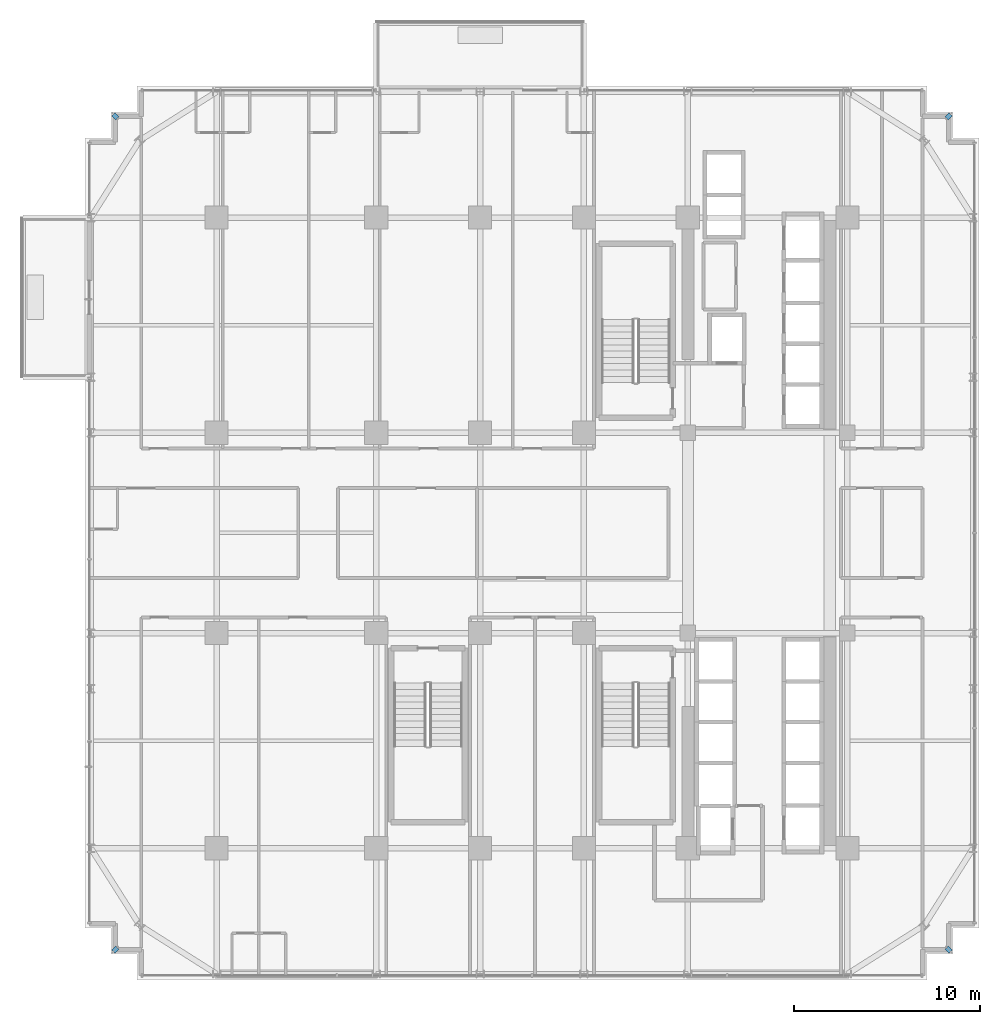
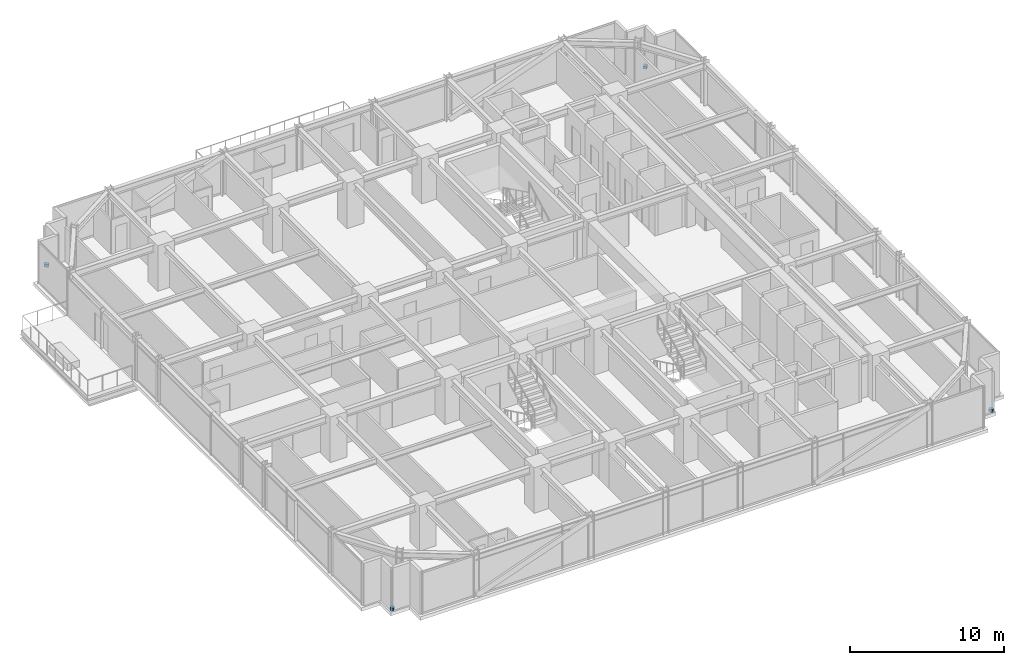
# One storey, part 36 of 40: 4 discrete accessories.
"""IFC4 building model written with IfcOpenShell, lengths in metres."""

from ifc_helpers import new_model, si_unit, direction, frame, origin, origin_2d, place, context, subcontext, project, spatial, rectangle, extrude, source, transform, mapped, material, type_object, element, save


model = new_model("IFC4")

# Units and contexts
model_context = context("Model", 3, precision=1e-05, world=origin(), true_north=direction((0.0, 1.0)))
body_context = subcontext(model_context, "Body", "Model", "MODEL_VIEW")
ifc_project = project(units=[si_unit("LENGTHUNIT", "METRE"), si_unit("AREAUNIT", "SQUARE_METRE"), si_unit("VOLUMEUNIT", "CUBIC_METRE"), si_unit("PLANEANGLEUNIT", "RADIAN"), si_unit("MASSUNIT", "GRAM", prefix="KILO")], contexts=[model_context])

# Site, building, storey
site_placement = place(None, origin())
site = spatial("IfcSite", under=ifc_project, at=site_placement, CompositionType="ELEMENT")
building_placement = place(site_placement, origin())
building = spatial("IfcBuilding", under=site, at=building_placement, Name="Nahalor Promenade Grand Hotel", CompositionType="ELEMENT")
storey_placement = place(building_placement, frame((0.0, 0.0, 91.949951171875)))
storey = spatial("IfcBuildingStorey", under=building, at=storey_placement, Name="L22", CompositionType="ELEMENT", Elevation=91.949951171875)

# Discrete accessories
ifc_material = material(Name="Steel S355JR", Category="steel")
discrete_accessory_type = type_object("IfcDiscreteAccessoryType", Name="Bracket-FacadeCleat-Bronze", PredefinedType="BRACKET", material=ifc_material)
shared_shape = source(origin(), body_context, "Body", "SweptSolid", [
    extrude(rectangle(XDim=0.300048828125, YDim=0.239990234375, at=origin_2d()), origin(), (0.0, 0.0, 1.0), 0.219970703125),
])
for number, where, z_axis, x_axis, name in (
    (1, (-22.4599609375, -22.4599609375, 0.0), (0.0, 0.0, 1.0), (0.707106781187, 0.707106781187, 0.0), "BK-L22-SW"),
    (2, (22.4599609375, -22.4599609375, 0.0), (0.0, 0.0, 1.0), (-0.707106781187, 0.707106781187, 0.0), "BK-L22-SE"),
    (3, (22.4599609375, 22.4599609375, 0.0), (0.0, 0.0, 1.0), (0.707106781187, 0.707106781187, 0.0), "BK-L22-NE"),
    (4, (-22.4599609375, 22.4599609375, 0.0), (0.0, 0.0, 1.0), (-0.707106781187, 0.707106781187, 0.0), "BK-L22-NW"),
):
    element("IfcDiscreteAccessory", number, at=place(storey_placement, frame(where, z_axis=z_axis, x_axis=x_axis)), inside=storey, type_object=discrete_accessory_type, Name=name, PredefinedType="BRACKET", context=body_context, shape_type="MappedRepresentation", body=[
        mapped(shared_shape, transform((0.0, 0.0, 0.0), scale=1.0)),
    ])

save(model, "model.ifc")
